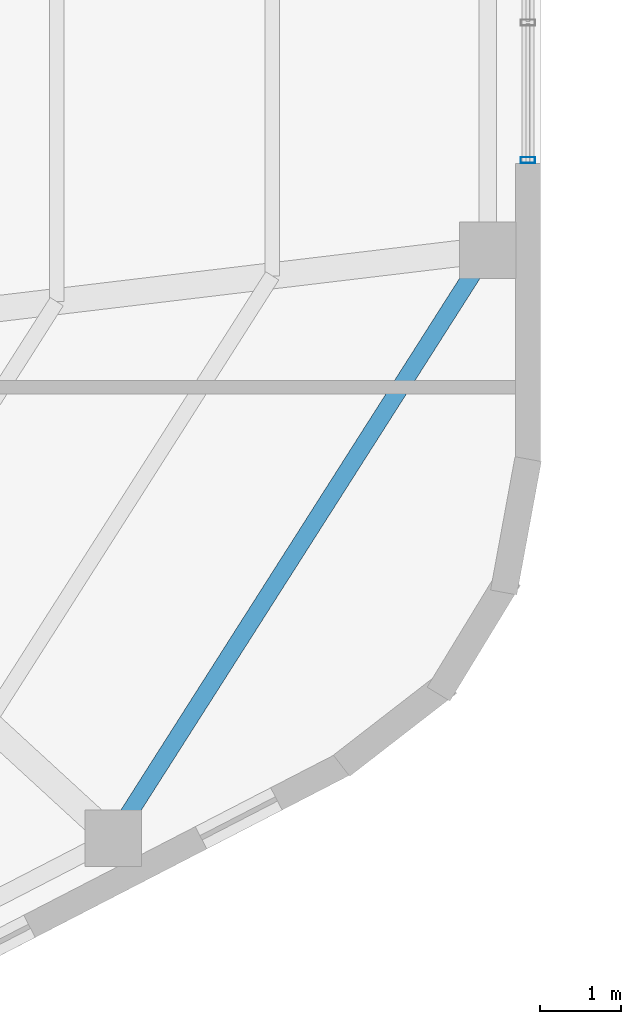
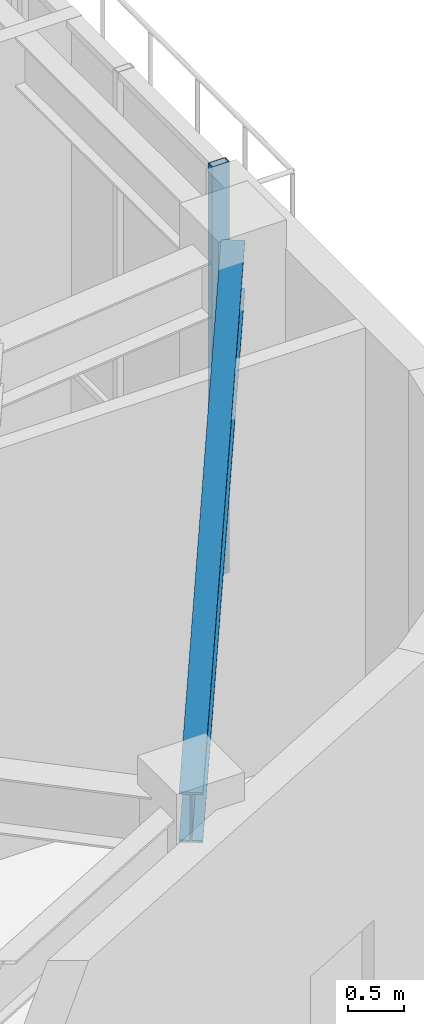
# One storey, part 9 of 19: 1 beam, 1 member, 1 element without a shape of its own.
"""IFC4 building model written with IfcOpenShell, lengths in metres."""

from ifc_helpers import new_model, si_unit, direction, frame, origin, origin_2d, place, context, subcontext, project, spatial, hollow_rectangle, i_section, extrude, material, layer, layer_set, material_profile, profile_set, type_object, element, aggregate, save


model = new_model("IFC4")

# Units and contexts
model_context = context("Model", 3, precision=1e-05, world=origin(), true_north=direction((0.0, 1.0)))
body_context = subcontext(model_context, "Body", "Model", "MODEL_VIEW")
ifc_project = project(units=[si_unit("LENGTHUNIT", "METRE"), si_unit("AREAUNIT", "SQUARE_METRE"), si_unit("VOLUMEUNIT", "CUBIC_METRE"), si_unit("PLANEANGLEUNIT", "RADIAN"), si_unit("MASSUNIT", "GRAM", prefix="KILO"), si_unit("THERMODYNAMICTEMPERATUREUNIT", "KELVIN"), si_unit("POWERUNIT", "WATT")], contexts=[model_context])

# Site, building, storey
site_placement = place(None, origin())
site = spatial("IfcSite", under=ifc_project, at=site_placement, CompositionType="ELEMENT")
building_placement = place(site_placement, origin())
building = spatial("IfcBuilding", under=site, at=building_placement, Name="Skarre Station Tower", CompositionType="ELEMENT")
storey_placement = place(building_placement, frame((0.0, 0.0, 275.10009765625)))
storey = spatial("IfcBuildingStorey", under=building, at=storey_placement, Name="L75", CompositionType="ELEMENT", Elevation=275.10009765625)

# Curtain wall, member
ifc_material_1 = material(Name="Thermally Broken Bronze-Anodized Aluminium & Triple Low-E Glass", Category="aluminium")
ifc_layer = layer(ifc_material_1, 0.219970703125, Name="Thermally Broken Bronze-Anodized Aluminium & Triple Low-E Glass")
ifc_layer_set = layer_set([ifc_layer], Name="Thermally Broken Bronze-Anodized Aluminium & Triple Low-E Glass")
curtain_wall_type = type_object("IfcCurtainWallType", Name="Observation Deck Panorama Unitised Curtain Wall", PredefinedType="NOTDEFINED", material=ifc_layer_set)
curtain_wall_placement = place(storey_placement, origin())
curtain_wall = element("IfcCurtainWall", 1, at=curtain_wall_placement, inside=storey, type_object=curtain_wall_type, Name="L75 Facet 5 Observatory Curtain Wall", PredefinedType="NOTDEFINED")
ifc_material_2 = material(Name="Anodized Aluminium 6063-T6", Category="aluminium")
ifc_material_profile_1 = material_profile(ifc_material_2, hollow_rectangle(XDim=0.074951171875, YDim=0.179931640625, WallThickness=0.00390625, at=origin_2d()), Name="Anodized Aluminium 6063-T6")
ifc_profile_set_1 = profile_set([ifc_material_profile_1], Name="Anodized Aluminium 6063-T6")
member_type = type_object("IfcMemberType", Name="Curtain-Wall Unitised Tower Mullion 180x75", PredefinedType="MULLION", material=ifc_profile_set_1)
member_placement = place(storey_placement, frame((51.05810546875, 21.091064453125, 0.0), z_axis=(0.0, 0.0, 1.0), x_axis=(0.0, -1.0, 0.0)))
member = element("IfcMember", 2, at=member_placement, type_object=member_type, Name="L75 Facet 5 Observatory Curtain Wall Mullion 3", PredefinedType="MULLION", context=body_context, shape_type="SweptSolid", body=[
    extrude(hollow_rectangle(XDim=0.074951171875, YDim=0.179931640625, WallThickness=0.00390625, at=origin_2d()), origin(), (0.0, 0.0, 1.0), 4.489990234375),
])
aggregate(curtain_wall, [member])

# Beam
ifc_material_3 = material(Name="Steel ASTM A992 Grade 50", Category="steel")
ifc_material_profile_2 = material_profile(ifc_material_3, i_section(OverallWidth=0.214111328125, OverallDepth=0.549072265625, WebThickness=0.014892578125, FlangeThickness=0.02392578125, at=origin_2d()), Name="Steel ASTM A992 Grade 50")
ifc_profile_set_2 = profile_set([ifc_material_profile_2], Name="Steel ASTM A992 Grade 50")
beam_type = type_object("IfcBeamType", Name="Steel Spandrel W21X93", PredefinedType="SPANDREL", material=ifc_profile_set_2)
beam_placement = place(storey_placement, frame((45.927001953125, 12.701904296875, 4.21484375), z_axis=(0.537296523663, 0.843393410965, 0.0), x_axis=(-0.843393410965, 0.537296523663, 0.0)))
element("IfcBeam", 3, at=beam_placement, inside=storey, type_object=beam_type, Name="L75 Facet Spandrel Beam 10", PredefinedType="SPANDREL", context=body_context, shape_type="SweptSolid", body=[
    extrude(i_section(OverallWidth=0.214111328125, OverallDepth=0.549072265625, WebThickness=0.014892578125, FlangeThickness=0.02392578125, at=origin_2d()), origin(), (0.0, 0.0, 1.0), 8.62841796875),
])

save(model, "model.ifc")
